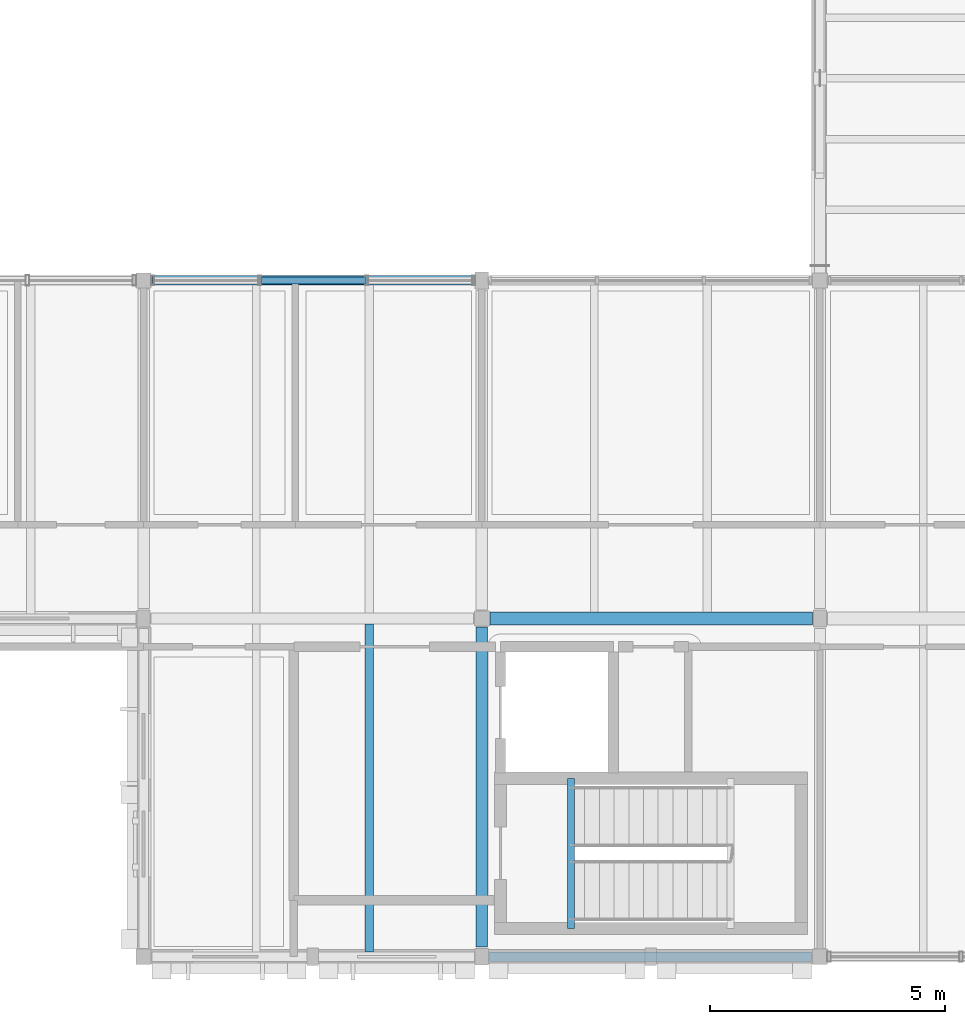
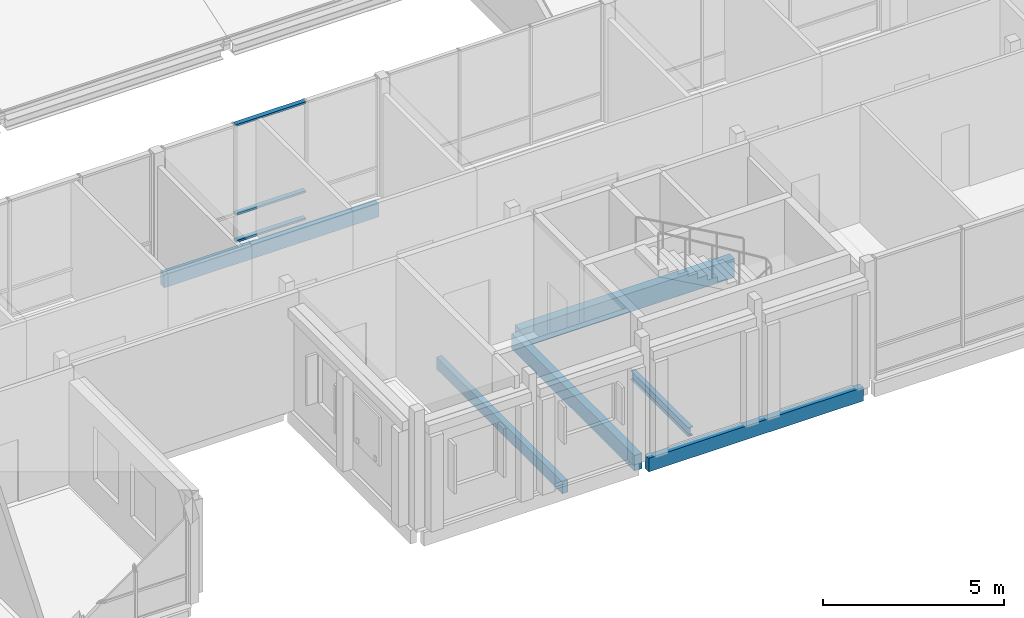
# One storey, part 15 of 115: 6 beams, 3 members, 1 element without a shape of its own.
"""IFC4 building model written with IfcOpenShell, lengths in metres."""

from ifc_helpers import new_model, si_unit, direction, frame, origin, origin_2d, place, context, subcontext, project, spatial, rectangle, hollow_rectangle, i_section, extrude, material, material_profile, profile_set, type_object, element, aggregate, save


model = new_model("IFC4")

# Units and contexts
model_context = context("Model", 3, precision=1e-05, world=origin(), true_north=direction((0.0, 1.0)))
body_context = subcontext(model_context, "Body", "Model", "MODEL_VIEW")
ifc_project = project(units=[si_unit("LENGTHUNIT", "METRE"), si_unit("AREAUNIT", "SQUARE_METRE"), si_unit("VOLUMEUNIT", "CUBIC_METRE"), si_unit("PLANEANGLEUNIT", "RADIAN"), si_unit("MASSUNIT", "GRAM", prefix="KILO")], contexts=[model_context])

# Site, building, storey
site_placement = place(None, origin())
site = spatial("IfcSite", under=ifc_project, at=site_placement, CompositionType="ELEMENT")
building_placement = place(site_placement, origin())
building = spatial("IfcBuilding", under=site, at=building_placement, Name="Hawrajan Terrace Health Centre", CompositionType="ELEMENT")
storey_placement = place(building_placement, frame((0.0, 0.0, 9.0)))
storey = spatial("IfcBuildingStorey", under=building, at=storey_placement, Name="L02", CompositionType="ELEMENT", Elevation=9.0)

# Curtain wall, members
ifc_material_1 = material(Name="Anodized bronze aluminium and low-E solar glazing", Category="aluminium")
curtain_wall_type = type_object("IfcCurtainWallType", Name="CW_Hall_SeriesD1", PredefinedType="USERDEFINED", material=ifc_material_1)
curtain_wall_placement = place(storey_placement, origin())
curtain_wall = element("IfcCurtainWall", 1, at=curtain_wall_placement, inside=storey, type_object=curtain_wall_type, Name="Curtain wall CW-L02-130", ObjectType="UNITISED CURTAIN WALL", PredefinedType="USERDEFINED")
ifc_material_2 = material(Name="Anodized bronze aluminium 6063-T6", Category="aluminium")
ifc_material_profile_1 = material_profile(ifc_material_2, hollow_rectangle(XDim=0.06494140625, YDim=0.14990234375, WallThickness=0.00390625, at=origin_2d()), Name="CW TRN 65x150")
ifc_profile_set_1 = profile_set([ifc_material_profile_1], Name="Anodized bronze aluminium 6063-T6")
member_type = type_object("IfcMemberType", Name="CWTransom_65x150", PredefinedType="USERDEFINED", material=ifc_profile_set_1)
member_1_placement = place(storey_placement, frame((50.29736328125, 18.60009765625, 0.032470703125), z_axis=(1.0, 0.0, 0.0), x_axis=(0.0, 0.0, 1.0)))
member_1 = element("IfcMember", 2, at=member_1_placement, type_object=member_type, Name="Transom CW-L02-130-T2-1", ObjectType="TRANSOM", PredefinedType="USERDEFINED", context=body_context, shape_type="SweptSolid", body=[
    extrude(hollow_rectangle(XDim=0.06494140625, YDim=0.14990234375, WallThickness=0.00390625, at=origin_2d()), origin(), (0.0, 0.0, 1.0), 2.225341796875),
])
member_2_placement = place(storey_placement, frame((50.29736328125, 18.60009765625, 0.949951171875), z_axis=(1.0, 0.0, 0.0), x_axis=(0.0, 0.0, 1.0)))
member_2 = element("IfcMember", 3, at=member_2_placement, type_object=member_type, Name="Transom CW-L02-130-T2-2", ObjectType="TRANSOM", PredefinedType="USERDEFINED", context=body_context, shape_type="SweptSolid", body=[
    extrude(hollow_rectangle(XDim=0.06494140625, YDim=0.14990234375, WallThickness=0.00390625, at=origin_2d()), origin(), (0.0, 0.0, 1.0), 2.225341796875),
])
member_3_placement = place(storey_placement, frame((50.29736328125, 18.60009765625, 3.95751953125), z_axis=(1.0, 0.0, 0.0), x_axis=(0.0, 0.0, 1.0)))
member_3 = element("IfcMember", 4, at=member_3_placement, type_object=member_type, Name="Transom CW-L02-130-T2-3", ObjectType="TRANSOM", PredefinedType="USERDEFINED", context=body_context, shape_type="SweptSolid", body=[
    extrude(hollow_rectangle(XDim=0.06494140625, YDim=0.14990234375, WallThickness=0.00390625, at=origin_2d()), origin(), (0.0, 0.0, 1.0), 2.225341796875),
])
aggregate(curtain_wall, [member_1, member_2, member_3])

# Beams
ifc_material_3 = material(Name="Glulam GL32h", Category="wood")
ifc_material_profile_2 = material_profile(ifc_material_3, rectangle(XDim=0.239990234375, YDim=0.52001953125, at=origin_2d()), Name="GL BM 240x520")
ifc_profile_set_2 = profile_set([ifc_material_profile_2], Name="Glulam GL32h")
beam_type_1 = type_object("IfcBeamType", Name="GlulamGirder_240x520", PredefinedType="BEAM", material=ifc_profile_set_2)
beam_1_placement = place(storey_placement, frame((55.0, 4.409912109375, -0.5), z_axis=(0.0, 1.0, 0.0), x_axis=(-1.0, 0.0, 0.0)))
element("IfcBeam", 5, at=beam_1_placement, inside=storey, type_object=beam_type_1, Name="Beam BM-Y-L02-W-X08-1", PredefinedType="BEAM", context=body_context, shape_type="SweptSolid", body=[
    extrude(rectangle(XDim=0.239990234375, YDim=0.52001953125, at=origin_2d()), origin(), (0.0, 0.0, 1.0), 6.81005859375),
])
ifc_material_profile_3 = material_profile(ifc_material_3, rectangle(XDim=0.280029296875, YDim=0.639892578125, at=origin_2d()), Name="GL BM 280x640")
ifc_profile_set_3 = profile_set([ifc_material_profile_3], Name="Glulam GL32h")
beam_type_2 = type_object("IfcBeamType", Name="GlulamGirder_280x640", PredefinedType="BEAM", material=ifc_profile_set_3)
beam_2_placement = place(storey_placement, frame((55.179931640625, 11.39990234375, -0.56005859375), z_axis=(1.0, 0.0, 0.0), x_axis=(0.0, 1.0, 0.0)))
element("IfcBeam", 6, at=beam_2_placement, inside=storey, type_object=beam_type_2, Name="Beam BM-X-L02-W-08-Y2", PredefinedType="BEAM", context=body_context, shape_type="SweptSolid", body=[
    extrude(rectangle(XDim=0.280029296875, YDim=0.639892578125, at=origin_2d()), origin(), (0.0, 0.0, 1.0), 6.860107421875),
])
ifc_material_4 = material(Name="Glulam GL28h", Category="wood")
ifc_material_profile_4 = material_profile(ifc_material_4, rectangle(XDim=0.179931640625, YDim=0.39990234375, at=origin_2d()), Name="GL JST 180x400")
ifc_profile_set_4 = profile_set([ifc_material_profile_4], Name="Glulam GL28h")
beam_type_3 = type_object("IfcBeamType", Name="GlulamJoist_180x400", PredefinedType="JOIST", material=ifc_profile_set_4)
beam_3_placement = place(storey_placement, frame((52.60009765625, 4.300048828125, -0.43994140625), z_axis=(0.0, 1.0, 0.0), x_axis=(-1.0, 0.0, 0.0)))
element("IfcBeam", 7, at=beam_3_placement, inside=storey, type_object=beam_type_3, Name="Secondary joist JST-L02-W-07-1-2", PredefinedType="JOIST", context=body_context, shape_type="SweptSolid", body=[
    extrude(rectangle(XDim=0.179931640625, YDim=0.39990234375, at=origin_2d()), origin(), (0.0, 0.0, 1.0), 6.97998046875),
])
ifc_material_profile_5 = material_profile(ifc_material_3, rectangle(XDim=0.199951171875, YDim=0.4599609375, at=origin_2d()), Name="GL SP 200x460")
ifc_profile_set_5 = profile_set([ifc_material_profile_5], Name="Glulam GL32h")
beam_type_4 = type_object("IfcBeamType", Name="GlulamSpandrel_200x460", PredefinedType="SPANDREL", material=ifc_profile_set_5)
for number, where, z_axis, x_axis, name in (
    (8, (47.97998046875, 18.60009765625, -0.469970703125), (1.0, 0.0, 0.0), (0.0, 1.0, 0.0), "Beam BM-X-L02-W-07-Y3"),
    (9, (55.159912109375, 4.199951171875, -0.469970703125), (1.0, 0.0, 0.0), (0.0, 1.0, 0.0), "Beam BM-X-L02-W-08-Y1"),
):
    element("IfcBeam", number, at=place(storey_placement, frame(where, z_axis=z_axis, x_axis=x_axis)), inside=storey, type_object=beam_type_4, Name=name, PredefinedType="SPANDREL", context=body_context, shape_type="SweptSolid", body=[
        extrude(rectangle(XDim=0.199951171875, YDim=0.4599609375, at=origin_2d()), origin(), (0.0, 0.0, 1.0), 6.860107421875),
    ])
ifc_material_5 = material(Name="Steel S355", Category="steel")
ifc_material_profile_6 = material_profile(ifc_material_5, i_section(OverallWidth=0.14990234375, OverallDepth=0.300048828125, WebThickness=0.007080078125, FlangeThickness=0.0107421875, FilletRadius=0.014892578125, at=origin_2d()), Name="IPE 300")
ifc_profile_set_6 = profile_set([ifc_material_profile_6], Name="Steel S355")
beam_type_5 = type_object("IfcBeamType", Name="SteelBeam_IPE300", PredefinedType="JOIST", material=ifc_profile_set_6)
beam_4_placement = place(storey_placement, frame((56.89990234375, 4.800048828125, -0.3701171875), z_axis=(0.0, 1.0, 0.0), x_axis=(-1.0, 0.0, 0.0)))
element("IfcBeam", 10, at=beam_4_placement, inside=storey, type_object=beam_type_5, Name="Stair landing trimmer ST-4-L02-B0", PredefinedType="JOIST", context=body_context, shape_type="SweptSolid", body=[
    extrude(i_section(OverallWidth=0.14990234375, OverallDepth=0.300048828125, WebThickness=0.007080078125, FlangeThickness=0.0107421875, FilletRadius=0.014892578125, at=origin_2d()), origin(), (0.0, 0.0, 1.0), 3.199951171875),
])

save(model, "model.ifc")
